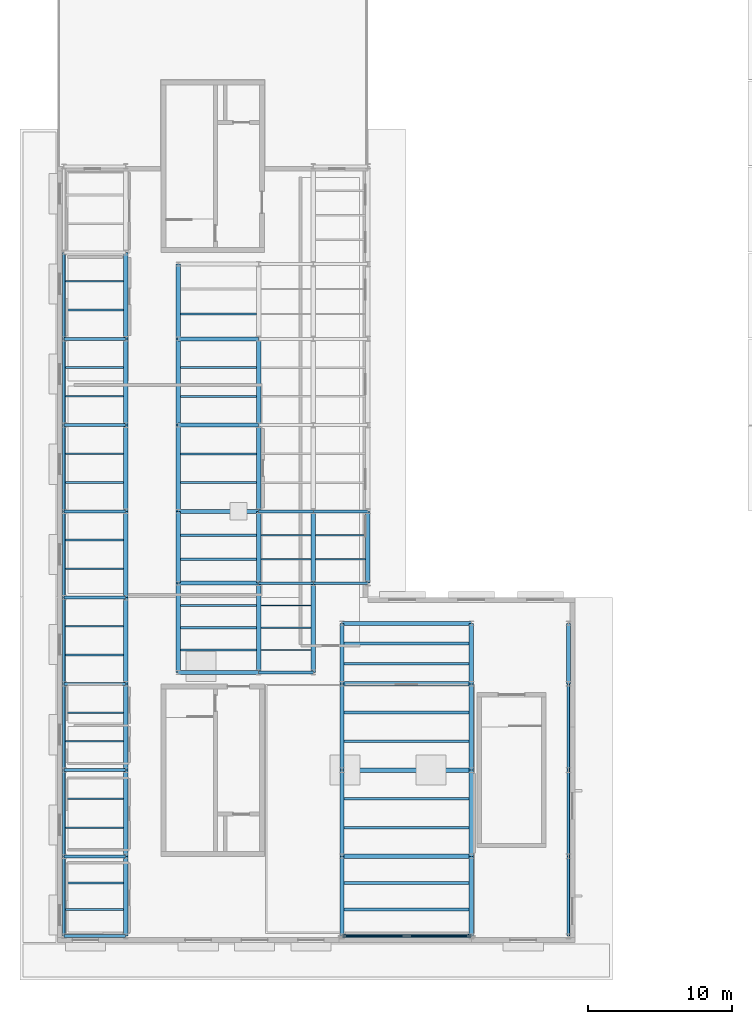
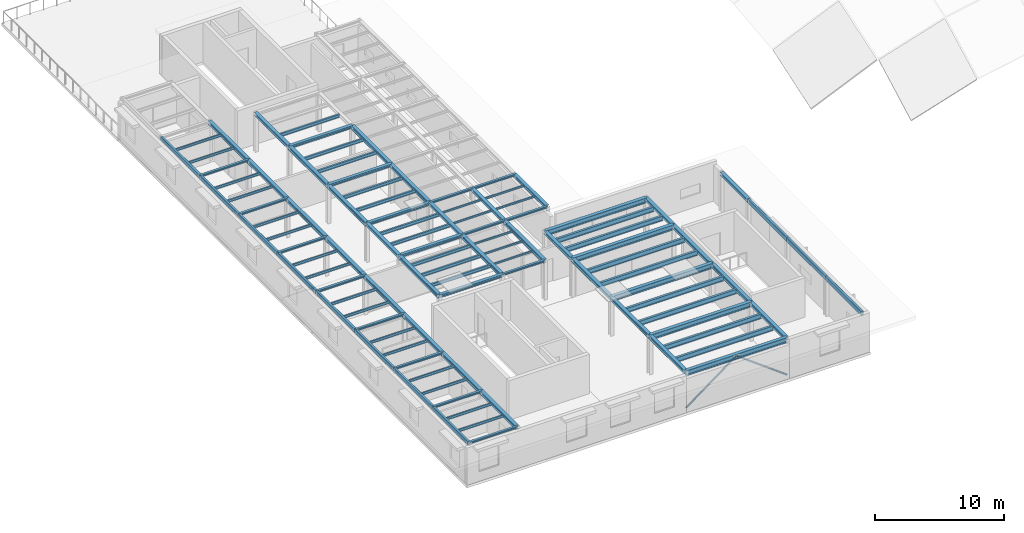
# One storey, part 4 of 10: 104 beams, 2 members.
"""IFC4 building model written with IfcOpenShell, lengths in metres."""

from ifc_helpers import new_model, si_unit, direction, frame, origin, origin_2d, place, context, subcontext, project, spatial, hollow_rectangle, hollow_circle, i_section, extrude, material, material_profile, profile_set, type_object, element, save


model = new_model("IFC4")

# Units and contexts
model_context = context("Model", 3, precision=1e-05, world=origin(), true_north=direction((0.0, 1.0)))
body_context = subcontext(model_context, "Body", "Model", "MODEL_VIEW")
ifc_project = project(units=[si_unit("LENGTHUNIT", "METRE"), si_unit("AREAUNIT", "SQUARE_METRE"), si_unit("VOLUMEUNIT", "CUBIC_METRE"), si_unit("PLANEANGLEUNIT", "RADIAN"), si_unit("MASSUNIT", "GRAM", prefix="KILO")], contexts=[model_context])

# Site, building, storey
site_placement = place(None, origin())
site = spatial("IfcSite", under=ifc_project, at=site_placement, CompositionType="ELEMENT")
building_placement = place(site_placement, origin())
building = spatial("IfcBuilding", under=site, at=building_placement, Name="Kolvaren Corner Interchange", CompositionType="ELEMENT")
storey_placement = place(building_placement, frame((0.0, 0.0, 18.75)))
storey = spatial("IfcBuildingStorey", under=building, at=storey_placement, Name="L05", CompositionType="ELEMENT", Elevation=18.75)

# Beams
ifc_material_1 = material(Name="Steel S355", Category="steel")
ifc_material_profile_1 = material_profile(ifc_material_1, i_section(OverallWidth=0.199951171875, OverallDepth=0.18994140625, WebThickness=0.006591796875, FlangeThickness=0.010009765625, FilletRadius=0.01806640625, at=origin_2d()), Name="HEA 200")
ifc_profile_set_1 = profile_set([ifc_material_profile_1], Name="Steel S355")
beam_type_1 = type_object("IfcBeamType", Name="BM-HEA200", PredefinedType="BEAM", material=ifc_profile_set_1)
for number, where, z_axis, x_axis, name in (
    (1, (14.0, 18.800048828125, 3.614990234375), (1.0, 0.0, 0.0), (0.0, 1.0, 0.0), "Storey L05 Grid X Primary Girder 1125"),
    (2, (14.0, 25.0, 3.614990234375), (1.0, 0.0, 0.0), (0.0, 1.0, 0.0), "Storey L05 Grid X Primary Girder 1127"),
    (3, (17.800048828125, 25.0, 3.614990234375), (1.0, 0.0, 0.0), (0.0, 1.0, 0.0), "Storey L05 Grid X Primary Girder 1128"),
    (4, (14.0, 30.0, 3.614990234375), (1.0, 0.0, 0.0), (0.0, 1.0, 0.0), "Storey L05 Grid X Primary Girder 1130"),
    (5, (17.800048828125, 30.0, 3.614990234375), (1.0, 0.0, 0.0), (0.0, 1.0, 0.0), "Storey L05 Grid X Primary Girder 1131"),
):
    element("IfcBeam", number, at=place(storey_placement, frame(where, z_axis=z_axis, x_axis=x_axis)), inside=storey, type_object=beam_type_1, Name=name, PredefinedType="BEAM", context=body_context, shape_type="SweptSolid", body=[
        extrude(i_section(OverallWidth=0.199951171875, OverallDepth=0.18994140625, WebThickness=0.006591796875, FlangeThickness=0.010009765625, FilletRadius=0.01806640625, at=origin_2d()), origin(), (0.0, 0.0, 1.0), 3.800048828125),
    ])
for number, where, z_axis, x_axis, name in (
    (6, (0.449951171875, 0.449951171875, 3.614990234375), (1.0, 0.0, 0.0), (0.0, 1.0, 0.0), "Storey L05 Grid X Primary Girder 1163"),
    (7, (0.449951171875, 6.0, 3.614990234375), (1.0, 0.0, 0.0), (0.0, 1.0, 0.0), "Storey L05 Grid X Primary Girder 1165"),
    (8, (0.449951171875, 12.0, 3.614990234375), (1.0, 0.0, 0.0), (0.0, 1.0, 0.0), "Storey L05 Grid X Primary Girder 1167"),
    (9, (0.449951171875, 18.0, 3.614990234375), (1.0, 0.0, 0.0), (0.0, 1.0, 0.0), "Storey L05 Grid X Primary Girder 1169"),
    (10, (0.449951171875, 24.0, 3.614990234375), (1.0, 0.0, 0.0), (0.0, 1.0, 0.0), "Storey L05 Grid X Primary Girder 1172"),
    (11, (0.449951171875, 30.0, 3.614990234375), (1.0, 0.0, 0.0), (0.0, 1.0, 0.0), "Storey L05 Grid X Primary Girder 1173"),
    (12, (0.449951171875, 36.0, 3.614990234375), (1.0, 0.0, 0.0), (0.0, 1.0, 0.0), "Storey L05 Grid X Primary Girder 1174"),
    (13, (0.449951171875, 42.0, 3.614990234375), (1.0, 0.0, 0.0), (0.0, 1.0, 0.0), "Storey L05 Grid X Primary Girder 1175"),
):
    element("IfcBeam", number, at=place(storey_placement, frame(where, z_axis=z_axis, x_axis=x_axis)), inside=storey, type_object=beam_type_1, Name=name, PredefinedType="BEAM", context=body_context, shape_type="SweptSolid", body=[
        extrude(i_section(OverallWidth=0.199951171875, OverallDepth=0.18994140625, WebThickness=0.006591796875, FlangeThickness=0.010009765625, FilletRadius=0.01806640625, at=origin_2d()), origin(), (0.0, 0.0, 1.0), 4.300048828125),
    ])
ifc_material_2 = material(Name="Steel S355", Category="steel")
ifc_material_profile_2 = material_profile(ifc_material_2, i_section(OverallWidth=0.280029296875, OverallDepth=0.27001953125, WebThickness=0.008056640625, FlangeThickness=0.012939453125, FilletRadius=0.02392578125, at=origin_2d()), Name="HEA 280")
ifc_profile_set_2 = profile_set([ifc_material_profile_2], Name="Steel S355")
beam_type_2 = type_object("IfcBeamType", Name="BM-HEA280", PredefinedType="BEAM", material=ifc_profile_set_2)
for number, where, z_axis, x_axis, name in (
    (14, (8.39990234375, 18.800048828125, 3.574951171875), (1.0, 0.0, 0.0), (0.0, 1.0, 0.0), "Storey L05 Grid X Primary Girder 1124"),
    (15, (8.39990234375, 25.0, 3.574951171875), (1.0, 0.0, 0.0), (0.0, 1.0, 0.0), "Storey L05 Grid X Primary Girder 1126"),
    (16, (8.39990234375, 30.0, 3.574951171875), (1.0, 0.0, 0.0), (0.0, 1.0, 0.0), "Storey L05 Grid X Primary Girder 1129"),
    (17, (8.39990234375, 36.0, 3.574951171875), (1.0, 0.0, 0.0), (0.0, 1.0, 0.0), "Storey L05 Grid X Primary Girder 1132"),
    (18, (8.39990234375, 42.0, 3.574951171875), (1.0, 0.0, 0.0), (0.0, 1.0, 0.0), "Storey L05 Grid X Primary Girder 1135"),
):
    element("IfcBeam", number, at=place(storey_placement, frame(where, z_axis=z_axis, x_axis=x_axis)), inside=storey, type_object=beam_type_2, Name=name, PredefinedType="BEAM", context=body_context, shape_type="SweptSolid", body=[
        extrude(i_section(OverallWidth=0.280029296875, OverallDepth=0.27001953125, WebThickness=0.008056640625, FlangeThickness=0.012939453125, FilletRadius=0.02392578125, at=origin_2d()), origin(), (0.0, 0.0, 1.0), 5.60009765625),
    ])
ifc_material_3 = material(Name="Steel S355", Category="steel")
ifc_material_profile_3 = material_profile(ifc_material_3, i_section(OverallWidth=0.300048828125, OverallDepth=0.2900390625, WebThickness=0.008544921875, FlangeThickness=0.013916015625, FilletRadius=0.027099609375, at=origin_2d()), Name="HEA 300")
ifc_profile_set_3 = profile_set([ifc_material_profile_3], Name="Steel S355")
beam_type_3 = type_object("IfcBeamType", Name="BM-HEA300", PredefinedType="BEAM", material=ifc_profile_set_3)
beam_1_placement = place(storey_placement, frame((8.39990234375, 25.0, 3.56494140625), z_axis=(0.0, 1.0, 0.0), x_axis=(-1.0, 0.0, 0.0)))
element("IfcBeam", 19, at=beam_1_placement, inside=storey, type_object=beam_type_3, Name="Storey L05 Grid Y Primary Girder 1143", PredefinedType="BEAM", context=body_context, shape_type="SweptSolid", body=[
    extrude(i_section(OverallWidth=0.300048828125, OverallDepth=0.2900390625, WebThickness=0.008544921875, FlangeThickness=0.013916015625, FilletRadius=0.027099609375, at=origin_2d()), origin(), (0.0, 0.0, 1.0), 5.0),
])
beam_2_placement = place(storey_placement, frame((8.39990234375, 42.0, 3.56494140625), z_axis=(0.0, 1.0, 0.0), x_axis=(-1.0, 0.0, 0.0)))
element("IfcBeam", 20, at=beam_2_placement, inside=storey, type_object=beam_type_3, Name="Storey L05 Grid Y Primary Girder 1146", PredefinedType="BEAM", context=body_context, shape_type="SweptSolid", body=[
    extrude(i_section(OverallWidth=0.300048828125, OverallDepth=0.2900390625, WebThickness=0.008544921875, FlangeThickness=0.013916015625, FilletRadius=0.027099609375, at=origin_2d()), origin(), (0.0, 0.0, 1.0), 5.199951171875),
])
for number, where, z_axis, x_axis, name in (
    (21, (14.0, 25.0, 3.56494140625), (0.0, 1.0, 0.0), (-1.0, 0.0, 0.0), "Storey L05 Grid Y Primary Girder 1148"),
    (22, (17.800048828125, 25.0, 3.56494140625), (0.0, 1.0, 0.0), (-1.0, 0.0, 0.0), "Storey L05 Grid Y Primary Girder 1153"),
    (23, (21.60009765625, 25.0, 3.56494140625), (0.0, 1.0, 0.0), (-1.0, 0.0, 0.0), "Storey L05 Grid Y Primary Girder 1158"),
):
    element("IfcBeam", number, at=place(storey_placement, frame(where, z_axis=z_axis, x_axis=x_axis)), inside=storey, type_object=beam_type_3, Name=name, PredefinedType="BEAM", context=body_context, shape_type="SweptSolid", body=[
        extrude(i_section(OverallWidth=0.300048828125, OverallDepth=0.2900390625, WebThickness=0.008544921875, FlangeThickness=0.013916015625, FilletRadius=0.027099609375, at=origin_2d()), origin(), (0.0, 0.0, 1.0), 5.0),
    ])
for number, where, z_axis, x_axis, name in (
    (24, (19.800048828125, 18.0, 3.56494140625), (0.0, 1.0, 0.0), (-1.0, 0.0, 0.0), "Storey L05 Grid Y Primary Girder 1199"),
    (25, (28.800048828125, 18.0, 3.56494140625), (0.0, 1.0, 0.0), (-1.0, 0.0, 0.0), "Storey L05 Grid Y Primary Girder 1203"),
    (26, (35.550048828125, 18.0, 3.56494140625), (0.0, 1.0, 0.0), (-1.0, 0.0, 0.0), "Storey L05 Grid Y Primary Girder 1207"),
):
    element("IfcBeam", number, at=place(storey_placement, frame(where, z_axis=z_axis, x_axis=x_axis)), inside=storey, type_object=beam_type_3, Name=name, PredefinedType="BEAM", context=body_context, shape_type="SweptSolid", body=[
        extrude(i_section(OverallWidth=0.300048828125, OverallDepth=0.2900390625, WebThickness=0.008544921875, FlangeThickness=0.013916015625, FilletRadius=0.027099609375, at=origin_2d()), origin(), (0.0, 0.0, 1.0), 4.199951171875),
    ])
ifc_material_4 = material(Name="Steel S355", Category="steel")
ifc_material_profile_4 = material_profile(ifc_material_4, i_section(OverallWidth=0.300048828125, OverallDepth=0.35009765625, WebThickness=0.010009765625, FlangeThickness=0.017578125, FilletRadius=0.027099609375, at=origin_2d()), Name="HEA 360")
ifc_profile_set_4 = profile_set([ifc_material_profile_4], Name="Steel S355")
beam_type_4 = type_object("IfcBeamType", Name="BM-HEA360", PredefinedType="BEAM", material=ifc_profile_set_4)
beam_3_placement = place(storey_placement, frame((8.39990234375, 18.800048828125, 3.534912109375), z_axis=(0.0, 1.0, 0.0), x_axis=(-1.0, 0.0, 0.0)))
element("IfcBeam", 27, at=beam_3_placement, inside=storey, type_object=beam_type_4, Name="Storey L05 Grid Y Primary Girder 1142", PredefinedType="BEAM", context=body_context, shape_type="SweptSolid", body=[
    extrude(i_section(OverallWidth=0.300048828125, OverallDepth=0.35009765625, WebThickness=0.010009765625, FlangeThickness=0.017578125, FilletRadius=0.027099609375, at=origin_2d()), origin(), (0.0, 0.0, 1.0), 6.199951171875),
])
for number, where, z_axis, x_axis, name in (
    (28, (8.39990234375, 30.0, 3.534912109375), (0.0, 1.0, 0.0), (-1.0, 0.0, 0.0), "Storey L05 Grid Y Primary Girder 1144"),
    (29, (8.39990234375, 36.0, 3.534912109375), (0.0, 1.0, 0.0), (-1.0, 0.0, 0.0), "Storey L05 Grid Y Primary Girder 1145"),
):
    element("IfcBeam", number, at=place(storey_placement, frame(where, z_axis=z_axis, x_axis=x_axis)), inside=storey, type_object=beam_type_4, Name=name, PredefinedType="BEAM", context=body_context, shape_type="SweptSolid", body=[
        extrude(i_section(OverallWidth=0.300048828125, OverallDepth=0.35009765625, WebThickness=0.010009765625, FlangeThickness=0.017578125, FilletRadius=0.027099609375, at=origin_2d()), origin(), (0.0, 0.0, 1.0), 6.0),
    ])
beam_4_placement = place(storey_placement, frame((14.0, 18.800048828125, 3.534912109375), z_axis=(0.0, 1.0, 0.0), x_axis=(-1.0, 0.0, 0.0)))
element("IfcBeam", 30, at=beam_4_placement, inside=storey, type_object=beam_type_4, Name="Storey L05 Grid Y Primary Girder 1147", PredefinedType="BEAM", context=body_context, shape_type="SweptSolid", body=[
    extrude(i_section(OverallWidth=0.300048828125, OverallDepth=0.35009765625, WebThickness=0.010009765625, FlangeThickness=0.017578125, FilletRadius=0.027099609375, at=origin_2d()), origin(), (0.0, 0.0, 1.0), 6.199951171875),
])
for number, where, z_axis, x_axis, name in (
    (31, (14.0, 30.0, 3.534912109375), (0.0, 1.0, 0.0), (-1.0, 0.0, 0.0), "Storey L05 Grid Y Primary Girder 1149"),
    (32, (14.0, 36.0, 3.534912109375), (0.0, 1.0, 0.0), (-1.0, 0.0, 0.0), "Storey L05 Grid Y Primary Girder 1150"),
):
    element("IfcBeam", number, at=place(storey_placement, frame(where, z_axis=z_axis, x_axis=x_axis)), inside=storey, type_object=beam_type_4, Name=name, PredefinedType="BEAM", context=body_context, shape_type="SweptSolid", body=[
        extrude(i_section(OverallWidth=0.300048828125, OverallDepth=0.35009765625, WebThickness=0.010009765625, FlangeThickness=0.017578125, FilletRadius=0.027099609375, at=origin_2d()), origin(), (0.0, 0.0, 1.0), 6.0),
    ])
beam_5_placement = place(storey_placement, frame((17.800048828125, 18.800048828125, 3.534912109375), z_axis=(0.0, 1.0, 0.0), x_axis=(-1.0, 0.0, 0.0)))
element("IfcBeam", 33, at=beam_5_placement, inside=storey, type_object=beam_type_4, Name="Storey L05 Grid Y Primary Girder 1152", PredefinedType="BEAM", context=body_context, shape_type="SweptSolid", body=[
    extrude(i_section(OverallWidth=0.300048828125, OverallDepth=0.35009765625, WebThickness=0.010009765625, FlangeThickness=0.017578125, FilletRadius=0.027099609375, at=origin_2d()), origin(), (0.0, 0.0, 1.0), 6.199951171875),
])
beam_6_placement = place(storey_placement, frame((4.75, 0.449951171875, 3.534912109375), z_axis=(0.0, 1.0, 0.0), x_axis=(-1.0, 0.0, 0.0)))
element("IfcBeam", 34, at=beam_6_placement, inside=storey, type_object=beam_type_4, Name="Storey L05 Grid Y Primary Girder 1187", PredefinedType="BEAM", context=body_context, shape_type="SweptSolid", body=[
    extrude(i_section(OverallWidth=0.300048828125, OverallDepth=0.35009765625, WebThickness=0.010009765625, FlangeThickness=0.017578125, FilletRadius=0.027099609375, at=origin_2d()), origin(), (0.0, 0.0, 1.0), 5.550048828125),
])
for number, where, z_axis, x_axis, name in (
    (35, (4.75, 6.0, 3.534912109375), (0.0, 1.0, 0.0), (-1.0, 0.0, 0.0), "Storey L05 Grid Y Primary Girder 1188"),
    (36, (4.75, 12.0, 3.534912109375), (0.0, 1.0, 0.0), (-1.0, 0.0, 0.0), "Storey L05 Grid Y Primary Girder 1189"),
    (37, (4.75, 18.0, 3.534912109375), (0.0, 1.0, 0.0), (-1.0, 0.0, 0.0), "Storey L05 Grid Y Primary Girder 1190"),
    (38, (4.75, 24.0, 3.534912109375), (0.0, 1.0, 0.0), (-1.0, 0.0, 0.0), "Storey L05 Grid Y Primary Girder 1191"),
    (39, (4.75, 30.0, 3.534912109375), (0.0, 1.0, 0.0), (-1.0, 0.0, 0.0), "Storey L05 Grid Y Primary Girder 1192"),
    (40, (4.75, 36.0, 3.534912109375), (0.0, 1.0, 0.0), (-1.0, 0.0, 0.0), "Storey L05 Grid Y Primary Girder 1193"),
    (41, (4.75, 42.0, 3.534912109375), (0.0, 1.0, 0.0), (-1.0, 0.0, 0.0), "Storey L05 Grid Y Primary Girder 1194"),
):
    element("IfcBeam", number, at=place(storey_placement, frame(where, z_axis=z_axis, x_axis=x_axis)), inside=storey, type_object=beam_type_4, Name=name, PredefinedType="BEAM", context=body_context, shape_type="SweptSolid", body=[
        extrude(i_section(OverallWidth=0.300048828125, OverallDepth=0.35009765625, WebThickness=0.010009765625, FlangeThickness=0.017578125, FilletRadius=0.027099609375, at=origin_2d()), origin(), (0.0, 0.0, 1.0), 6.0),
    ])
beam_7_placement = place(storey_placement, frame((19.800048828125, 0.449951171875, 3.534912109375), z_axis=(0.0, 1.0, 0.0), x_axis=(-1.0, 0.0, 0.0)))
element("IfcBeam", 42, at=beam_7_placement, inside=storey, type_object=beam_type_4, Name="Storey L05 Grid Y Primary Girder 1196", PredefinedType="BEAM", context=body_context, shape_type="SweptSolid", body=[
    extrude(i_section(OverallWidth=0.300048828125, OverallDepth=0.35009765625, WebThickness=0.010009765625, FlangeThickness=0.017578125, FilletRadius=0.027099609375, at=origin_2d()), origin(), (0.0, 0.0, 1.0), 5.550048828125),
])
for number, where, z_axis, x_axis, name in (
    (43, (19.800048828125, 6.0, 3.534912109375), (0.0, 1.0, 0.0), (-1.0, 0.0, 0.0), "Storey L05 Grid Y Primary Girder 1197"),
    (44, (19.800048828125, 12.0, 3.534912109375), (0.0, 1.0, 0.0), (-1.0, 0.0, 0.0), "Storey L05 Grid Y Primary Girder 1198"),
):
    element("IfcBeam", number, at=place(storey_placement, frame(where, z_axis=z_axis, x_axis=x_axis)), inside=storey, type_object=beam_type_4, Name=name, PredefinedType="BEAM", context=body_context, shape_type="SweptSolid", body=[
        extrude(i_section(OverallWidth=0.300048828125, OverallDepth=0.35009765625, WebThickness=0.010009765625, FlangeThickness=0.017578125, FilletRadius=0.027099609375, at=origin_2d()), origin(), (0.0, 0.0, 1.0), 6.0),
    ])
beam_8_placement = place(storey_placement, frame((28.800048828125, 0.449951171875, 3.534912109375), z_axis=(0.0, 1.0, 0.0), x_axis=(-1.0, 0.0, 0.0)))
element("IfcBeam", 45, at=beam_8_placement, inside=storey, type_object=beam_type_4, Name="Storey L05 Grid Y Primary Girder 1200", PredefinedType="BEAM", context=body_context, shape_type="SweptSolid", body=[
    extrude(i_section(OverallWidth=0.300048828125, OverallDepth=0.35009765625, WebThickness=0.010009765625, FlangeThickness=0.017578125, FilletRadius=0.027099609375, at=origin_2d()), origin(), (0.0, 0.0, 1.0), 5.550048828125),
])
for number, where, z_axis, x_axis, name in (
    (46, (28.800048828125, 6.0, 3.534912109375), (0.0, 1.0, 0.0), (-1.0, 0.0, 0.0), "Storey L05 Grid Y Primary Girder 1201"),
    (47, (28.800048828125, 12.0, 3.534912109375), (0.0, 1.0, 0.0), (-1.0, 0.0, 0.0), "Storey L05 Grid Y Primary Girder 1202"),
):
    element("IfcBeam", number, at=place(storey_placement, frame(where, z_axis=z_axis, x_axis=x_axis)), inside=storey, type_object=beam_type_4, Name=name, PredefinedType="BEAM", context=body_context, shape_type="SweptSolid", body=[
        extrude(i_section(OverallWidth=0.300048828125, OverallDepth=0.35009765625, WebThickness=0.010009765625, FlangeThickness=0.017578125, FilletRadius=0.027099609375, at=origin_2d()), origin(), (0.0, 0.0, 1.0), 6.0),
    ])
ifc_material_5 = material(Name="Steel S355", Category="steel")
ifc_material_profile_5 = material_profile(ifc_material_5, i_section(OverallWidth=0.300048828125, OverallDepth=0.489990234375, WebThickness=0.011962890625, FlangeThickness=0.02294921875, FilletRadius=0.027099609375, at=origin_2d()), Name="HEA 500")
ifc_profile_set_5 = profile_set([ifc_material_profile_5], Name="Steel S355")
beam_type_5 = type_object("IfcBeamType", Name="BM-HEA500", PredefinedType="BEAM", material=ifc_profile_set_5)
for number, where, z_axis, x_axis, name in (
    (48, (19.800048828125, 0.449951171875, 3.465087890625), (1.0, 0.0, 0.0), (0.0, 1.0, 0.0), "Storey L05 Grid X Primary Girder 1164"),
    (49, (19.800048828125, 6.0, 3.465087890625), (1.0, 0.0, 0.0), (0.0, 1.0, 0.0), "Storey L05 Grid X Primary Girder 1166"),
    (50, (19.800048828125, 12.0, 3.465087890625), (1.0, 0.0, 0.0), (0.0, 1.0, 0.0), "Storey L05 Grid X Primary Girder 1168"),
    (51, (19.800048828125, 18.0, 3.465087890625), (1.0, 0.0, 0.0), (0.0, 1.0, 0.0), "Storey L05 Grid X Primary Girder 1170"),
    (52, (19.800048828125, 22.199951171875, 3.465087890625), (1.0, 0.0, 0.0), (0.0, 1.0, 0.0), "Storey L05 Grid X Primary Girder 1171"),
):
    element("IfcBeam", number, at=place(storey_placement, frame(where, z_axis=z_axis, x_axis=x_axis)), inside=storey, type_object=beam_type_5, Name=name, PredefinedType="BEAM", context=body_context, shape_type="SweptSolid", body=[
        extrude(i_section(OverallWidth=0.300048828125, OverallDepth=0.489990234375, WebThickness=0.011962890625, FlangeThickness=0.02294921875, FilletRadius=0.027099609375, at=origin_2d()), origin(), (0.0, 0.0, 1.0), 9.0),
    ])
ifc_material_6 = material(Name="Steel S355", Category="steel")
ifc_material_profile_6 = material_profile(ifc_material_6, i_section(OverallWidth=0.091064453125, OverallDepth=0.179931640625, WebThickness=0.00537109375, FlangeThickness=0.008056640625, FilletRadius=0.009033203125, at=origin_2d()), Name="IPE 180")
ifc_profile_set_6 = profile_set([ifc_material_profile_6], Name="Steel S355")
beam_type_6 = type_object("IfcBeamType", Name="JS-IPE180", PredefinedType="JOIST", material=ifc_profile_set_6)
for number, where, z_axis, x_axis, name in (
    (53, (14.14990234375, 20.35009765625, 3.6201171875), (1.0, 0.0, 0.0), (0.0, 1.0, 0.0), "Storey L05 Composite Floor Joist 0966"),
    (54, (14.14990234375, 21.89990234375, 3.6201171875), (1.0, 0.0, 0.0), (0.0, 1.0, 0.0), "Storey L05 Composite Floor Joist 0967"),
    (55, (14.14990234375, 23.449951171875, 3.6201171875), (1.0, 0.0, 0.0), (0.0, 1.0, 0.0), "Storey L05 Composite Floor Joist 0968"),
    (56, (14.14990234375, 26.666748046875, 3.6201171875), (1.0, 0.0, 0.0), (0.0, 1.0, 0.0), "Storey L05 Composite Floor Joist 0969"),
    (57, (14.14990234375, 28.333251953125, 3.6201171875), (1.0, 0.0, 0.0), (0.0, 1.0, 0.0), "Storey L05 Composite Floor Joist 0970"),
    (58, (17.949951171875, 26.666748046875, 3.6201171875), (1.0, 0.0, 0.0), (0.0, 1.0, 0.0), "Storey L05 Composite Floor Joist 0977"),
    (59, (17.949951171875, 28.333251953125, 3.6201171875), (1.0, 0.0, 0.0), (0.0, 1.0, 0.0), "Storey L05 Composite Floor Joist 0978"),
):
    element("IfcBeam", number, at=place(storey_placement, frame(where, z_axis=z_axis, x_axis=x_axis)), inside=storey, type_object=beam_type_6, Name=name, PredefinedType="JOIST", context=body_context, shape_type="SweptSolid", body=[
        extrude(i_section(OverallWidth=0.091064453125, OverallDepth=0.179931640625, WebThickness=0.00537109375, FlangeThickness=0.008056640625, FilletRadius=0.009033203125, at=origin_2d()), origin(), (0.0, 0.0, 1.0), 3.5),
    ])
ifc_material_7 = material(Name="Steel S355", Category="steel")
ifc_material_profile_7 = material_profile(ifc_material_7, i_section(OverallWidth=0.1201171875, OverallDepth=0.239990234375, WebThickness=0.006103515625, FlangeThickness=0.009765625, FilletRadius=0.014892578125, at=origin_2d()), Name="IPE 240")
ifc_profile_set_7 = profile_set([ifc_material_profile_7], Name="Steel S355")
beam_type_7 = type_object("IfcBeamType", Name="JS-IPE240", PredefinedType="JOIST", material=ifc_profile_set_7)
for number, where, z_axis, x_axis, name in (
    (60, (0.550048828125, 2.300048828125, 3.590087890625), (1.0, 0.0, 0.0), (0.0, 1.0, 0.0), "Storey L05 Composite Floor Joist 0988"),
    (61, (0.550048828125, 4.14990234375, 3.590087890625), (1.0, 0.0, 0.0), (0.0, 1.0, 0.0), "Storey L05 Composite Floor Joist 0989"),
    (62, (0.550048828125, 8.0, 3.590087890625), (1.0, 0.0, 0.0), (0.0, 1.0, 0.0), "Storey L05 Composite Floor Joist 0990"),
    (63, (0.550048828125, 10.0, 3.590087890625), (1.0, 0.0, 0.0), (0.0, 1.0, 0.0), "Storey L05 Composite Floor Joist 0991"),
    (64, (0.550048828125, 14.0, 3.590087890625), (1.0, 0.0, 0.0), (0.0, 1.0, 0.0), "Storey L05 Composite Floor Joist 0992"),
    (65, (0.550048828125, 16.0, 3.590087890625), (1.0, 0.0, 0.0), (0.0, 1.0, 0.0), "Storey L05 Composite Floor Joist 0993"),
    (66, (0.550048828125, 20.0, 3.590087890625), (1.0, 0.0, 0.0), (0.0, 1.0, 0.0), "Storey L05 Composite Floor Joist 0994"),
    (67, (0.550048828125, 22.0, 3.590087890625), (1.0, 0.0, 0.0), (0.0, 1.0, 0.0), "Storey L05 Composite Floor Joist 0995"),
    (68, (0.550048828125, 26.0, 3.590087890625), (1.0, 0.0, 0.0), (0.0, 1.0, 0.0), "Storey L05 Composite Floor Joist 0996"),
    (69, (0.550048828125, 28.0, 3.590087890625), (1.0, 0.0, 0.0), (0.0, 1.0, 0.0), "Storey L05 Composite Floor Joist 0997"),
    (70, (0.550048828125, 32.0, 3.590087890625), (1.0, 0.0, 0.0), (0.0, 1.0, 0.0), "Storey L05 Composite Floor Joist 0998"),
    (71, (0.550048828125, 34.0, 3.590087890625), (1.0, 0.0, 0.0), (0.0, 1.0, 0.0), "Storey L05 Composite Floor Joist 0999"),
    (72, (0.550048828125, 38.0, 3.590087890625), (1.0, 0.0, 0.0), (0.0, 1.0, 0.0), "Storey L05 Composite Floor Joist 1000"),
    (73, (0.550048828125, 40.0, 3.590087890625), (1.0, 0.0, 0.0), (0.0, 1.0, 0.0), "Storey L05 Composite Floor Joist 1001"),
    (74, (0.550048828125, 44.0, 3.590087890625), (1.0, 0.0, 0.0), (0.0, 1.0, 0.0), "Storey L05 Composite Floor Joist 1002"),
    (75, (0.550048828125, 46.0, 3.590087890625), (1.0, 0.0, 0.0), (0.0, 1.0, 0.0), "Storey L05 Composite Floor Joist 1003"),
):
    element("IfcBeam", number, at=place(storey_placement, frame(where, z_axis=z_axis, x_axis=x_axis)), inside=storey, type_object=beam_type_7, Name=name, PredefinedType="JOIST", context=body_context, shape_type="SweptSolid", body=[
        extrude(i_section(OverallWidth=0.1201171875, OverallDepth=0.239990234375, WebThickness=0.006103515625, FlangeThickness=0.009765625, FilletRadius=0.014892578125, at=origin_2d()), origin(), (0.0, 0.0, 1.0), 4.050048828125),
    ])
ifc_material_8 = material(Name="Steel S355", Category="steel")
ifc_material_profile_8 = material_profile(ifc_material_8, i_section(OverallWidth=0.14990234375, OverallDepth=0.300048828125, WebThickness=0.007080078125, FlangeThickness=0.0107421875, FilletRadius=0.014892578125, at=origin_2d()), Name="IPE 300")
ifc_profile_set_8 = profile_set([ifc_material_profile_8], Name="Steel S355")
beam_type_8 = type_object("IfcBeamType", Name="JS-IPE300", PredefinedType="JOIST", material=ifc_profile_set_8)
for number, where, z_axis, x_axis, name in (
    (76, (8.550048828125, 20.35009765625, 3.56005859375), (1.0, 0.0, 0.0), (0.0, 1.0, 0.0), "Storey L05 Composite Floor Joist 0955"),
    (77, (8.550048828125, 21.89990234375, 3.56005859375), (1.0, 0.0, 0.0), (0.0, 1.0, 0.0), "Storey L05 Composite Floor Joist 0956"),
    (78, (8.550048828125, 23.449951171875, 3.56005859375), (1.0, 0.0, 0.0), (0.0, 1.0, 0.0), "Storey L05 Composite Floor Joist 0957"),
    (79, (8.550048828125, 26.666748046875, 3.56005859375), (1.0, 0.0, 0.0), (0.0, 1.0, 0.0), "Storey L05 Composite Floor Joist 0958"),
    (80, (8.550048828125, 28.333251953125, 3.56005859375), (1.0, 0.0, 0.0), (0.0, 1.0, 0.0), "Storey L05 Composite Floor Joist 0959"),
    (81, (8.550048828125, 32.0, 3.56005859375), (1.0, 0.0, 0.0), (0.0, 1.0, 0.0), "Storey L05 Composite Floor Joist 0960"),
    (82, (8.550048828125, 34.0, 3.56005859375), (1.0, 0.0, 0.0), (0.0, 1.0, 0.0), "Storey L05 Composite Floor Joist 0961"),
    (83, (8.550048828125, 38.0, 3.56005859375), (1.0, 0.0, 0.0), (0.0, 1.0, 0.0), "Storey L05 Composite Floor Joist 0962"),
    (84, (8.550048828125, 40.0, 3.56005859375), (1.0, 0.0, 0.0), (0.0, 1.0, 0.0), "Storey L05 Composite Floor Joist 0963"),
    (85, (8.550048828125, 43.7333984375, 3.56005859375), (1.0, 0.0, 0.0), (0.0, 1.0, 0.0), "Storey L05 Composite Floor Joist 0964"),
):
    element("IfcBeam", number, at=place(storey_placement, frame(where, z_axis=z_axis, x_axis=x_axis)), inside=storey, type_object=beam_type_8, Name=name, PredefinedType="JOIST", context=body_context, shape_type="SweptSolid", body=[
        extrude(i_section(OverallWidth=0.14990234375, OverallDepth=0.300048828125, WebThickness=0.007080078125, FlangeThickness=0.0107421875, FilletRadius=0.014892578125, at=origin_2d()), origin(), (0.0, 0.0, 1.0), 5.300048828125),
    ])
ifc_material_9 = material(Name="Steel S355", Category="steel")
ifc_material_profile_9 = material_profile(ifc_material_9, i_section(OverallWidth=0.18994140625, OverallDepth=0.449951171875, WebThickness=0.009521484375, FlangeThickness=0.0146484375, FilletRadius=0.02099609375, at=origin_2d()), Name="IPE 450")
ifc_profile_set_9 = profile_set([ifc_material_profile_9], Name="Steel S355")
beam_type_9 = type_object("IfcBeamType", Name="JS-IPE450", PredefinedType="JOIST", material=ifc_profile_set_9)
for number, where, z_axis, x_axis, name in (
    (86, (19.949951171875, 2.300048828125, 3.485107421875), (1.0, 0.0, 0.0), (0.0, 1.0, 0.0), "Storey L05 Composite Floor Joist 1006"),
    (87, (19.949951171875, 4.14990234375, 3.485107421875), (1.0, 0.0, 0.0), (0.0, 1.0, 0.0), "Storey L05 Composite Floor Joist 1007"),
    (88, (19.949951171875, 8.0, 3.485107421875), (1.0, 0.0, 0.0), (0.0, 1.0, 0.0), "Storey L05 Composite Floor Joist 1008"),
    (89, (19.949951171875, 10.0, 3.485107421875), (1.0, 0.0, 0.0), (0.0, 1.0, 0.0), "Storey L05 Composite Floor Joist 1009"),
    (90, (19.949951171875, 14.0, 3.485107421875), (1.0, 0.0, 0.0), (0.0, 1.0, 0.0), "Storey L05 Composite Floor Joist 1010"),
    (91, (19.949951171875, 16.0, 3.485107421875), (1.0, 0.0, 0.0), (0.0, 1.0, 0.0), "Storey L05 Composite Floor Joist 1011"),
    (92, (19.949951171875, 19.39990234375, 3.485107421875), (1.0, 0.0, 0.0), (0.0, 1.0, 0.0), "Storey L05 Composite Floor Joist 1012"),
    (93, (19.949951171875, 20.800048828125, 3.485107421875), (1.0, 0.0, 0.0), (0.0, 1.0, 0.0), "Storey L05 Composite Floor Joist 1013"),
):
    element("IfcBeam", number, at=place(storey_placement, frame(where, z_axis=z_axis, x_axis=x_axis)), inside=storey, type_object=beam_type_9, Name=name, PredefinedType="JOIST", context=body_context, shape_type="SweptSolid", body=[
        extrude(i_section(OverallWidth=0.18994140625, OverallDepth=0.449951171875, WebThickness=0.009521484375, FlangeThickness=0.0146484375, FilletRadius=0.02099609375, at=origin_2d()), origin(), (0.0, 0.0, 1.0), 8.699951171875),
    ])

# Members
ifc_material_10 = material(Name="Steel S355", Category="steel")
ifc_material_profile_10 = material_profile(ifc_material_10, hollow_circle(Radius=0.084228515625, WallThickness=0.008056640625, at=origin_2d()), Name="CHS 168.3x8.0")
ifc_profile_set_10 = profile_set([ifc_material_profile_10], Name="Steel S355")
member_type = type_object("IfcMemberType", Name="MEM-BR-CHS168", PredefinedType="BRACE", material=ifc_profile_set_10)
for number, where, z_axis, x_axis, name in (
    (94, (19.800048828125, 0.449951171875, 0.1201171875), (0.802563367916, 0.0, 0.596566878463), (0.0, 1.0, 0.0), "Storey L05 Lateral Chevron Steel Brace 05 Left"),
    (95, (28.800048828125, 0.449951171875, 0.1201171875), (-0.802563367916, 0.0, 0.596566878463), (0.0, -1.0, 0.0), "Storey L05 Lateral Chevron Steel Brace 05 Right"),
):
    element("IfcMember", number, at=place(storey_placement, frame(where, z_axis=z_axis, x_axis=x_axis)), inside=storey, type_object=member_type, Name=name, PredefinedType="BRACE", context=body_context, shape_type="SweptSolid", body=[
        extrude(hollow_circle(Radius=0.084228515625, WallThickness=0.008056640625, at=origin_2d()), origin(), (0.0, 0.0, 1.0), 5.60693359375),
    ])

# Beams
ifc_material_11 = material(Name="Steel S355", Category="steel")
ifc_material_profile_11 = material_profile(ifc_material_11, hollow_rectangle(XDim=0.199951171875, YDim=0.35009765625, WallThickness=0.012451171875, InnerFilletRadius=0.012451171875, OuterFilletRadius=0.02490234375, at=origin_2d()), Name="RHS 350x200x12.5")
ifc_profile_set_11 = profile_set([ifc_material_profile_11], Name="Steel S355")
beam_type_10 = type_object("IfcBeamType", Name="SP-RHS350", PredefinedType="SPANDREL", material=ifc_profile_set_11)
beam_9_placement = place(storey_placement, frame((0.449951171875, 0.449951171875, 3.534912109375), z_axis=(0.0, 1.0, 0.0), x_axis=(-1.0, 0.0, 0.0)))
element("IfcBeam", 96, at=beam_9_placement, inside=storey, type_object=beam_type_10, Name="Storey L05 Grid Y Primary Girder 1178", PredefinedType="SPANDREL", context=body_context, shape_type="SweptSolid", body=[
    extrude(hollow_rectangle(XDim=0.199951171875, YDim=0.35009765625, WallThickness=0.012451171875, InnerFilletRadius=0.012451171875, OuterFilletRadius=0.02490234375, at=origin_2d()), origin(), (0.0, 0.0, 1.0), 5.550048828125),
])
for number, where, z_axis, x_axis, name in (
    (97, (0.449951171875, 6.0, 3.534912109375), (0.0, 1.0, 0.0), (-1.0, 0.0, 0.0), "Storey L05 Grid Y Primary Girder 1179"),
    (98, (0.449951171875, 12.0, 3.534912109375), (0.0, 1.0, 0.0), (-1.0, 0.0, 0.0), "Storey L05 Grid Y Primary Girder 1180"),
    (99, (0.449951171875, 18.0, 3.534912109375), (0.0, 1.0, 0.0), (-1.0, 0.0, 0.0), "Storey L05 Grid Y Primary Girder 1181"),
    (100, (0.449951171875, 24.0, 3.534912109375), (0.0, 1.0, 0.0), (-1.0, 0.0, 0.0), "Storey L05 Grid Y Primary Girder 1182"),
    (101, (0.449951171875, 30.0, 3.534912109375), (0.0, 1.0, 0.0), (-1.0, 0.0, 0.0), "Storey L05 Grid Y Primary Girder 1183"),
    (102, (0.449951171875, 36.0, 3.534912109375), (0.0, 1.0, 0.0), (-1.0, 0.0, 0.0), "Storey L05 Grid Y Primary Girder 1184"),
    (103, (0.449951171875, 42.0, 3.534912109375), (0.0, 1.0, 0.0), (-1.0, 0.0, 0.0), "Storey L05 Grid Y Primary Girder 1185"),
):
    element("IfcBeam", number, at=place(storey_placement, frame(where, z_axis=z_axis, x_axis=x_axis)), inside=storey, type_object=beam_type_10, Name=name, PredefinedType="SPANDREL", context=body_context, shape_type="SweptSolid", body=[
        extrude(hollow_rectangle(XDim=0.199951171875, YDim=0.35009765625, WallThickness=0.012451171875, InnerFilletRadius=0.012451171875, OuterFilletRadius=0.02490234375, at=origin_2d()), origin(), (0.0, 0.0, 1.0), 6.0),
    ])
ifc_material_12 = material(Name="Steel S355", Category="steel")
ifc_material_profile_12 = material_profile(ifc_material_12, hollow_rectangle(XDim=0.199951171875, YDim=0.39990234375, WallThickness=0.012451171875, InnerFilletRadius=0.012451171875, OuterFilletRadius=0.02490234375, at=origin_2d()), Name="RHS 400x200x12.5")
ifc_profile_set_12 = profile_set([ifc_material_profile_12], Name="Steel S355")
beam_type_11 = type_object("IfcBeamType", Name="SP-RHS400", PredefinedType="SPANDREL", material=ifc_profile_set_12)
beam_10_placement = place(storey_placement, frame((35.550048828125, 0.449951171875, 3.510009765625), z_axis=(0.0, 1.0, 0.0), x_axis=(-1.0, 0.0, 0.0)))
element("IfcBeam", 104, at=beam_10_placement, inside=storey, type_object=beam_type_11, Name="Storey L05 Grid Y Primary Girder 1204", PredefinedType="SPANDREL", context=body_context, shape_type="SweptSolid", body=[
    extrude(hollow_rectangle(XDim=0.199951171875, YDim=0.39990234375, WallThickness=0.012451171875, InnerFilletRadius=0.012451171875, OuterFilletRadius=0.02490234375, at=origin_2d()), origin(), (0.0, 0.0, 1.0), 5.550048828125),
])
for number, where, z_axis, x_axis, name in (
    (105, (35.550048828125, 6.0, 3.510009765625), (0.0, 1.0, 0.0), (-1.0, 0.0, 0.0), "Storey L05 Grid Y Primary Girder 1205"),
    (106, (35.550048828125, 12.0, 3.510009765625), (0.0, 1.0, 0.0), (-1.0, 0.0, 0.0), "Storey L05 Grid Y Primary Girder 1206"),
):
    element("IfcBeam", number, at=place(storey_placement, frame(where, z_axis=z_axis, x_axis=x_axis)), inside=storey, type_object=beam_type_11, Name=name, PredefinedType="SPANDREL", context=body_context, shape_type="SweptSolid", body=[
        extrude(hollow_rectangle(XDim=0.199951171875, YDim=0.39990234375, WallThickness=0.012451171875, InnerFilletRadius=0.012451171875, OuterFilletRadius=0.02490234375, at=origin_2d()), origin(), (0.0, 0.0, 1.0), 6.0),
    ])

save(model, "model.ifc")
